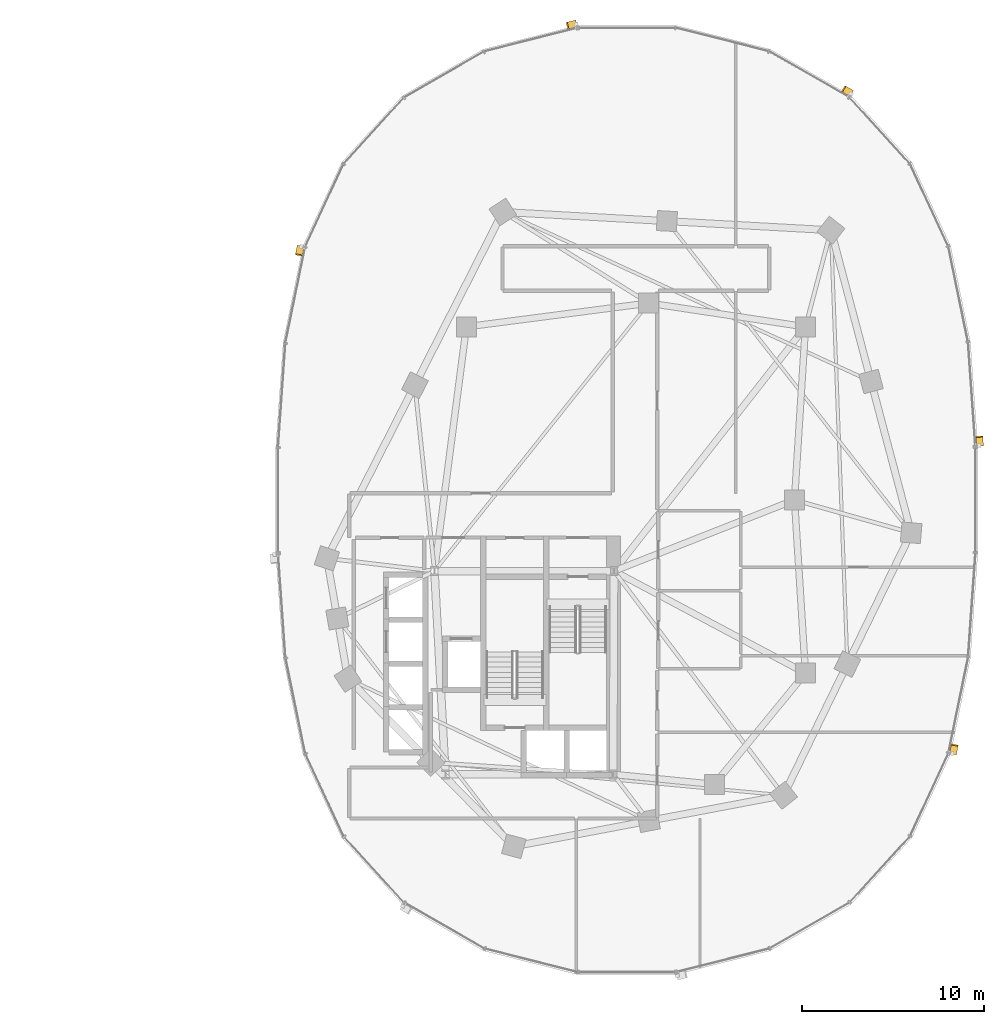
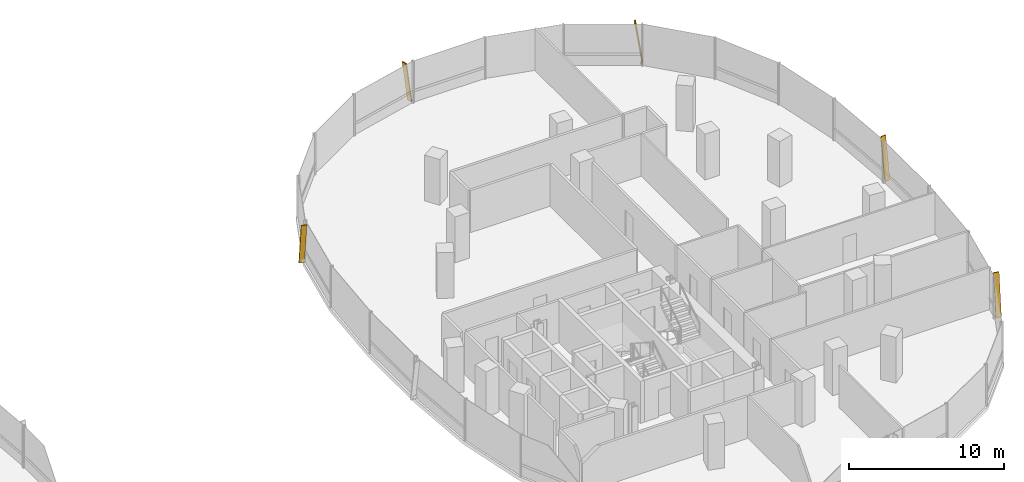
# One storey, part 21 of 21: 5 shading devices.
"""IFC4 building model written with IfcOpenShell, lengths in metres."""

from ifc_helpers import new_model, si_unit, direction, frame, origin, origin_2d, place, context, subcontext, project, spatial, rectangle, extrude, material, material_profile, profile_set, type_object, element, save


model = new_model("IFC4")

# Units and contexts
model_context = context("Model", 3, precision=1e-05, world=origin(), true_north=direction((0.0, 1.0)))
body_context = subcontext(model_context, "Body", "Model", "MODEL_VIEW")
ifc_project = project(units=[si_unit("LENGTHUNIT", "METRE"), si_unit("AREAUNIT", "SQUARE_METRE"), si_unit("VOLUMEUNIT", "CUBIC_METRE"), si_unit("PLANEANGLEUNIT", "RADIAN"), si_unit("MASSUNIT", "GRAM", prefix="KILO"), si_unit("THERMODYNAMICTEMPERATUREUNIT", "KELVIN"), si_unit("POWERUNIT", "WATT")], contexts=[model_context])

# Site, building, storey
site_placement = place(None, origin())
site = spatial("IfcSite", under=ifc_project, at=site_placement, CompositionType="ELEMENT")
building_placement = place(site_placement, origin())
building = spatial("IfcBuilding", under=site, at=building_placement, Name="Cundina Bronze Exchange", CompositionType="ELEMENT")
storey_placement = place(building_placement, frame((0.0, 0.0, 85.39990234375)))
storey = spatial("IfcBuildingStorey", under=building, at=storey_placement, Name="L21", CompositionType="ELEMENT", Elevation=85.39990234375)

# Shading devices
ifc_material = material(Name="Anodised Bronze Aluminium 6063-T6", Category="aluminium")
ifc_material_profile = material_profile(ifc_material, rectangle(XDim=0.070068359375, YDim=0.3798828125, at=origin_2d()), Name="FIN70X380", Category="aluminium")
ifc_profile_set = profile_set([ifc_material_profile], Name="Anodised Bronze Aluminium 6063-T6")
shading_device_type = type_object("IfcShadingDeviceType", Name="SHD-FIN-BRZ380", PredefinedType="USERDEFINED", material=ifc_profile_set)
for number, where, z_axis, x_axis, name in (
    (1, (51.3740234375, 2.993896484375, 0.02001953125), (-0.010224545828, 0.145292278041, 0.989335945271), (0.069450050635, -0.986895284755, 0.145651595925), "L21 Diagonal Bronze Solar Fin 1"),
    (2, (44.314208984375, 22.314208984375, 0.02001953125), (-0.126324692219, 0.072534823274, 0.989333498649), (0.857958278167, -0.492634108109, 0.145668213594), "L21 Diagonal Bronze Solar Fin 5"),
    (3, (29.212646484375, 26.138427734375, 0.02001953125), (-0.141217047268, -0.035711761166, 0.989334329575), (0.95914051701, 0.242552848478, 0.145662570088), "L21 Diagonal Bronze Solar Fin 1"),
    (4, (14.10400390625, 13.911865234375, 0.02001953125), (-0.029413888538, -0.142698109128, 0.989329102378), (0.199728220342, 0.968958570224, 0.145698068578), "L21 Diagonal Bronze Solar Fin 5"),
    (5, (49.89599609375, -13.911865234375, 0.02001953125), (0.029413888538, 0.142698109128, 0.989329102378), (-0.199728220342, -0.968958570224, 0.145698068578), "L21 Diagonal Bronze Solar Fin 5"),
):
    element("IfcShadingDevice", number, at=place(storey_placement, frame(where, z_axis=z_axis, x_axis=x_axis)), inside=storey, type_object=shading_device_type, Name=name, ObjectType="FIN", PredefinedType="USERDEFINED", context=body_context, shape_type="SweptSolid", body=[
        extrude(rectangle(XDim=0.070068359375, YDim=0.3798828125, at=origin_2d()), origin(), (0.0, 0.0, 1.0), 3.295166015625),
    ])

save(model, "model.ifc")
